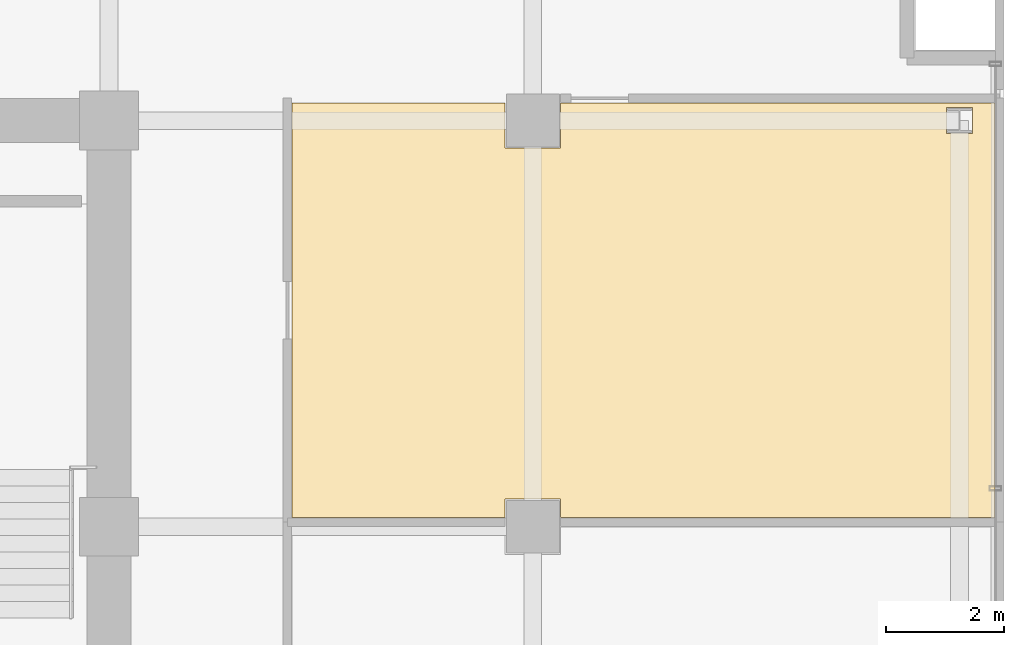
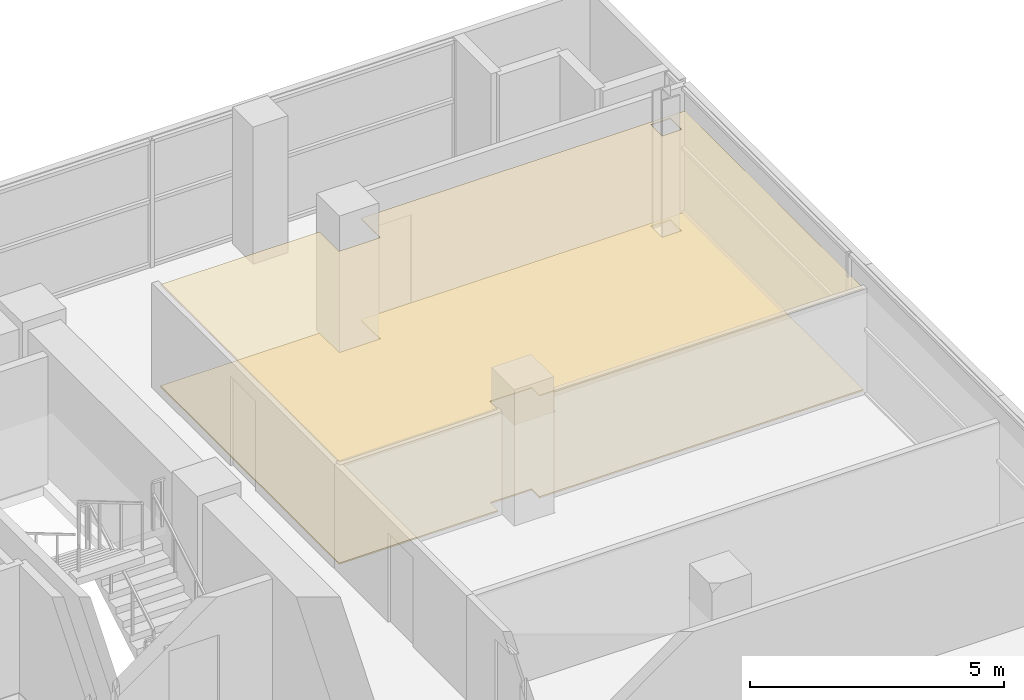
# One storey, part 22 of 23: 2 coverings.
"""IFC4 building model written with IfcOpenShell, lengths in metres."""

from ifc_helpers import new_model, si_unit, direction, frame, origin, place, context, subcontext, project, spatial, polyline, outline, extrude, material, layer, layer_set, type_object, element, save


model = new_model("IFC4")

# Units and contexts
model_context = context("Model", 3, precision=1e-05, world=origin(), true_north=direction((0.0, 1.0)))
body_context = subcontext(model_context, "Body", "Model", "MODEL_VIEW")
ifc_project = project(units=[si_unit("LENGTHUNIT", "METRE"), si_unit("AREAUNIT", "SQUARE_METRE"), si_unit("VOLUMEUNIT", "CUBIC_METRE"), si_unit("PLANEANGLEUNIT", "RADIAN"), si_unit("MASSUNIT", "GRAM", prefix="KILO")], contexts=[model_context])

# Site, building, storey
site_placement = place(None, origin())
site = spatial("IfcSite", under=ifc_project, at=site_placement, CompositionType="ELEMENT")
building_placement = place(site_placement, origin())
building = spatial("IfcBuilding", under=site, at=building_placement, Name="Zarnakvel Exchange Tower", CompositionType="ELEMENT")
storey_placement = place(building_placement, frame((0.0, 0.0, 123.10009765625)))
storey = spatial("IfcBuildingStorey", under=building, at=storey_placement, Name="L34", CompositionType="ELEMENT", Elevation=123.10009765625)

# Coverings
ifc_material_1 = material(Name="Perforated Bronze Acoustic Metal Ceiling", Category="aluminium")
ifc_layer_1 = layer(ifc_material_1, 0.02001953125)
ifc_layer_set_1 = layer_set([ifc_layer_1], Name="Perforated Bronze Acoustic Metal Ceiling")
covering_type_1 = type_object("IfcCoveringType", Name="CLG-01", PredefinedType="CEILING", material=ifc_layer_set_1)
covering_1_placement = place(storey_placement, frame((0.0, 0.0, 2.454833984375)))
element("IfcCovering", 1, at=covering_1_placement, inside=storey, type_object=covering_type_1, Name="L34 Suspended Acoustic Ceiling (Members Lounge)", PredefinedType="CEILING", context=body_context, shape_type="SweptSolid", body=[
    extrude(outline(polyline([(17.510009765625, 13.800048828125), (21.1298828125, 13.800048828125), (21.1298828125, 13.030029296875), (22.070068359375, 13.030029296875), (22.070068359375, 13.800048828125), (29.449951171875, 13.800048828125), (29.449951171875, 6.7568359375), (22.070068359375, 6.7568359375), (22.070068359375, 7.070068359375), (21.1298828125, 7.070068359375), (21.1298828125, 6.7568359375), (17.510009765625, 6.7568359375), (17.510009765625, 13.800048828125)]), holes=[polyline([(28.6279296875, 13.276611328125), (29.072021484375, 13.276611328125), (29.072021484375, 13.723388671875), (28.6279296875, 13.723388671875), (28.6279296875, 13.276611328125)])]), origin(), (0.0, 0.0, 1.0), 0.02001953125),
])
ifc_material_2 = material(Name="Heavy-Duty Raised Access Floor Panel", Category="steel")
ifc_layer_2 = layer(ifc_material_2, 0.034912109375)
ifc_layer_set_2 = layer_set([ifc_layer_2], Name="Heavy-Duty Raised Access Floor Panel")
covering_type_2 = type_object("IfcCoveringType", Name="FLR-02", PredefinedType="FLOORING", material=ifc_layer_set_2)
covering_2_placement = place(storey_placement, origin())
element("IfcCovering", 2, at=covering_2_placement, inside=storey, type_object=covering_type_2, Name="L34 Floor Finish (Members Lounge)", PredefinedType="FLOORING", context=body_context, shape_type="SweptSolid", body=[
    extrude(outline(polyline([(17.510009765625, 13.800048828125), (21.1298828125, 13.800048828125), (21.1298828125, 13.030029296875), (22.070068359375, 13.030029296875), (22.070068359375, 13.800048828125), (29.449951171875, 13.800048828125), (29.449951171875, 6.7568359375), (22.070068359375, 6.7568359375), (22.070068359375, 7.070068359375), (21.1298828125, 7.070068359375), (21.1298828125, 6.7568359375), (17.510009765625, 6.7568359375), (17.510009765625, 13.800048828125)]), holes=[polyline([(28.6279296875, 13.276611328125), (29.072021484375, 13.276611328125), (29.072021484375, 13.723388671875), (28.6279296875, 13.723388671875), (28.6279296875, 13.276611328125)])]), origin(), (0.0, 0.0, 1.0), 0.034912109375),
])

save(model, "model.ifc")
